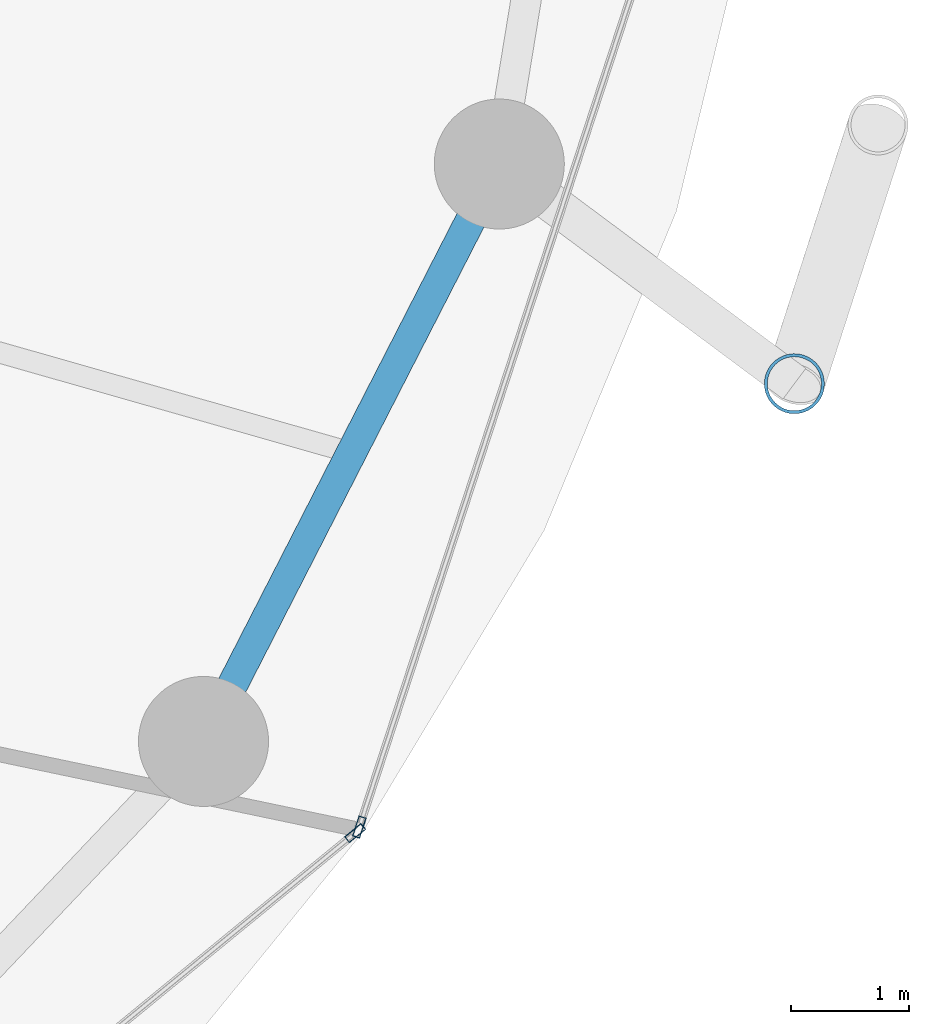
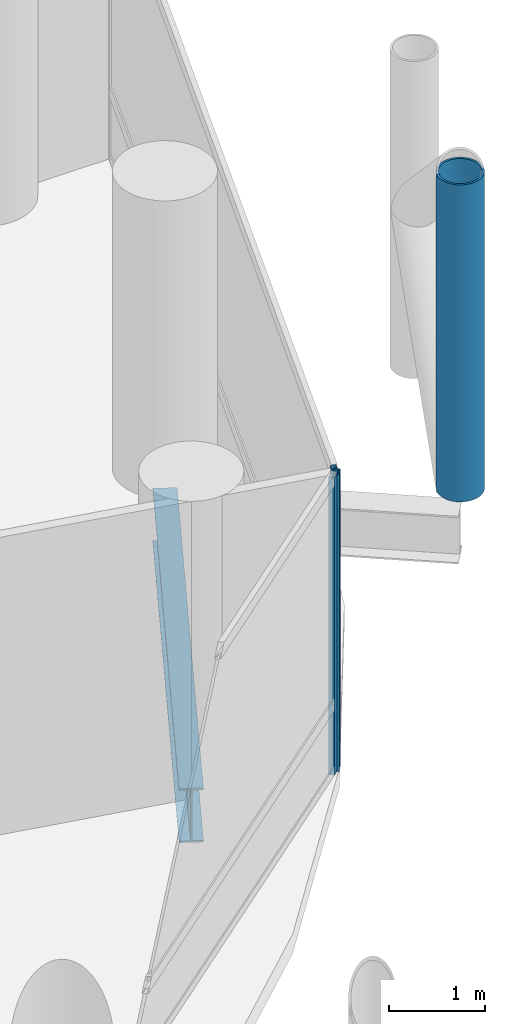
# One storey, part 10 of 24: 3 members, 1 beam, 2 elements without a shape of their own.
"""IFC4 building model written with IfcOpenShell, lengths in metres."""

from ifc_helpers import new_model, si_unit, direction, frame, origin, origin_2d, place, context, subcontext, project, spatial, hollow_rectangle, hollow_circle, i_section, extrude, material, layer, layer_set, material_profile, profile_set, type_object, element, aggregate, save


model = new_model("IFC4")

# Units and contexts
model_context = context("Model", 3, precision=1e-05, world=origin(), true_north=direction((0.0, 1.0)))
body_context = subcontext(model_context, "Body", "Model", "MODEL_VIEW")
ifc_project = project(units=[si_unit("LENGTHUNIT", "METRE"), si_unit("AREAUNIT", "SQUARE_METRE"), si_unit("VOLUMEUNIT", "CUBIC_METRE"), si_unit("PLANEANGLEUNIT", "RADIAN"), si_unit("MASSUNIT", "GRAM", prefix="KILO")], contexts=[model_context])

# Site, building, storey
site_placement = place(None, origin())
site = spatial("IfcSite", under=ifc_project, at=site_placement, CompositionType="ELEMENT")
building_placement = place(site_placement, origin())
building = spatial("IfcBuilding", under=site, at=building_placement, Name="Nuhasar Tower", CompositionType="ELEMENT")
storey_placement = place(building_placement, frame((0.0, 0.0, 81.75)))
storey = spatial("IfcBuildingStorey", under=building, at=storey_placement, Name="L19", CompositionType="ELEMENT", Elevation=81.75)

# Beam
ifc_material_1 = material(Name="Steel S355", Category="steel")
ifc_material_profile_1 = material_profile(ifc_material_1, i_section(OverallWidth=0.256103515625, OverallDepth=0.693115234375, WebThickness=0.014404296875, FlangeThickness=0.023681640625, at=origin_2d()), Name="W27X114")
ifc_profile_set_1 = profile_set([ifc_material_profile_1], Name="Steel S355")
beam_type = type_object("IfcBeamType", Name="BM-RING-W27X114", PredefinedType="SPANDREL", material=ifc_profile_set_1)
beam_placement = place(storey_placement, frame((60.694091796875, 16.675048828125, -0.596923828125), z_axis=(0.455930023905, 0.890015625314, 0.0), x_axis=(-0.890015625314, 0.455930023905, 0.0)))
element("IfcBeam", 1, at=beam_placement, inside=storey, type_object=beam_type, Name="L19 Perimeter Ring Spandrel 23", PredefinedType="SPANDREL", context=body_context, shape_type="SweptSolid", body=[
    extrude(i_section(OverallWidth=0.256103515625, OverallDepth=0.693115234375, WebThickness=0.014404296875, FlangeThickness=0.023681640625, at=origin_2d()), origin(), (0.0, 0.0, 1.0), 5.487548828125),
])

# Curtain wall, member
ifc_material_2 = material(Name="Aluminium 6063-T6", Category="aluminium")
ifc_layer = layer(ifc_material_2, 0.199951171875)
ifc_layer_set = layer_set([ifc_layer], Name="Aluminium 6063-T6")
curtain_wall_type = type_object("IfcCurtainWallType", Name="CW-Z1-OFF", PredefinedType="NOTDEFINED", material=ifc_layer_set)
curtain_wall_1_placement = place(storey_placement, origin())
curtain_wall_1 = element("IfcCurtainWall", 2, at=curtain_wall_1_placement, inside=storey, type_object=curtain_wall_type, Name="L19 Unitised Curtain Wall 11", PredefinedType="NOTDEFINED")
ifc_material_profile_2 = material_profile(ifc_material_2, hollow_rectangle(XDim=0.06494140625, YDim=0.179931640625, WallThickness=0.0048828125, at=origin_2d()), Name="CWM-2")
ifc_profile_set_2 = profile_set([ifc_material_profile_2], Name="Aluminium 6063-T6")
member_type_1 = type_object("IfcMemberType", Name="CW-MUL-S2", PredefinedType="MULLION", material=ifc_profile_set_2)
member_1_placement = place(storey_placement, frame((61.976806640625, 15.8994140625, 0.0), z_axis=(0.0, 0.0, 1.0), x_axis=(-0.633744593376, 0.773542364946, 0.0)))
member_1 = element("IfcMember", 3, at=member_1_placement, type_object=member_type_1, Name="CW-Z1 mullion 2", PredefinedType="MULLION", context=body_context, shape_type="SweptSolid", body=[
    extrude(hollow_rectangle(XDim=0.06494140625, YDim=0.179931640625, WallThickness=0.0048828125, at=origin_2d()), origin(), (0.0, 0.0, 1.0), 3.800048828125),
])
aggregate(curtain_wall_1, [member_1])

curtain_wall_2_placement = place(storey_placement, origin())
curtain_wall_2 = element("IfcCurtainWall", 4, at=curtain_wall_2_placement, inside=storey, type_object=curtain_wall_type, Name="L19 Unitised Curtain Wall 12", PredefinedType="NOTDEFINED")
member_2_placement = place(storey_placement, frame((62.01220703125, 15.950927734375, 0.0), z_axis=(0.0, 0.0, 1.0), x_axis=(-0.950467534571, 0.310823849997, 0.0)))
member_2 = element("IfcMember", 5, at=member_2_placement, type_object=member_type_1, Name="CW-Z1 mullion 1", PredefinedType="MULLION", context=body_context, shape_type="SweptSolid", body=[
    extrude(hollow_rectangle(XDim=0.06494140625, YDim=0.179931640625, WallThickness=0.0048828125, at=origin_2d()), origin(), (0.0, 0.0, 1.0), 3.800048828125),
])
aggregate(curtain_wall_2, [member_2])

# Member
ifc_material_3 = material(Name="Steel S460", Category="steel")
ifc_material_profile_3 = material_profile(ifc_material_3, hollow_circle(Radius=0.25390625, WallThickness=0.025390625, at=origin_2d()), Name="HSS508X25.4")
ifc_profile_set_3 = profile_set([ifc_material_profile_3], Name="Steel S460")
member_type_2 = type_object("IfcMemberType", Name="EXO-BRONZE-508", PredefinedType="BRACE", material=ifc_profile_set_3)
member_3_placement = place(storey_placement, frame((65.69189453125, 19.700927734375, 0.0), z_axis=(0.0, 0.0, 1.0), x_axis=(1.0, 0.0, 0.0)))
element("IfcMember", 6, at=member_3_placement, inside=storey, type_object=member_type_2, Name="L19 Exoskeleton Chord Column EC-12A", PredefinedType="BRACE", context=body_context, shape_type="SweptSolid", body=[
    extrude(hollow_circle(Radius=0.25390625, WallThickness=0.025390625, at=origin_2d()), origin(), (0.0, 0.0, 1.0), 4.050048828125),
])

save(model, "model.ifc")
